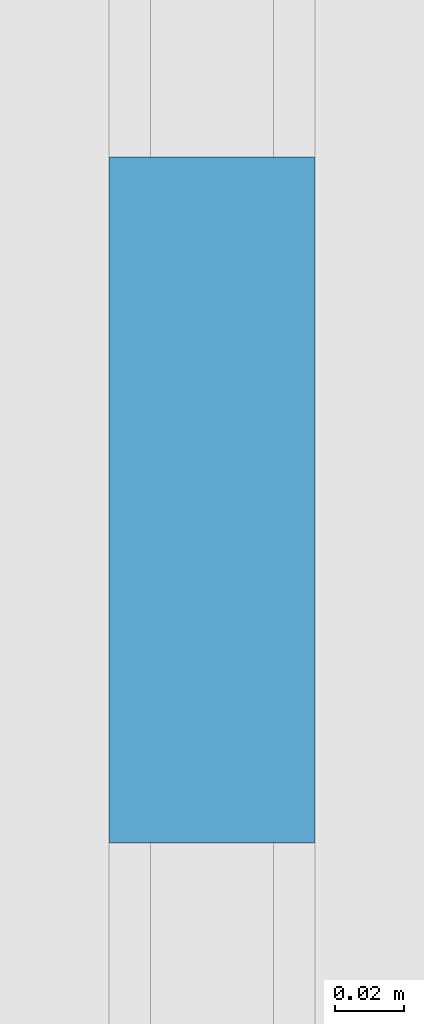
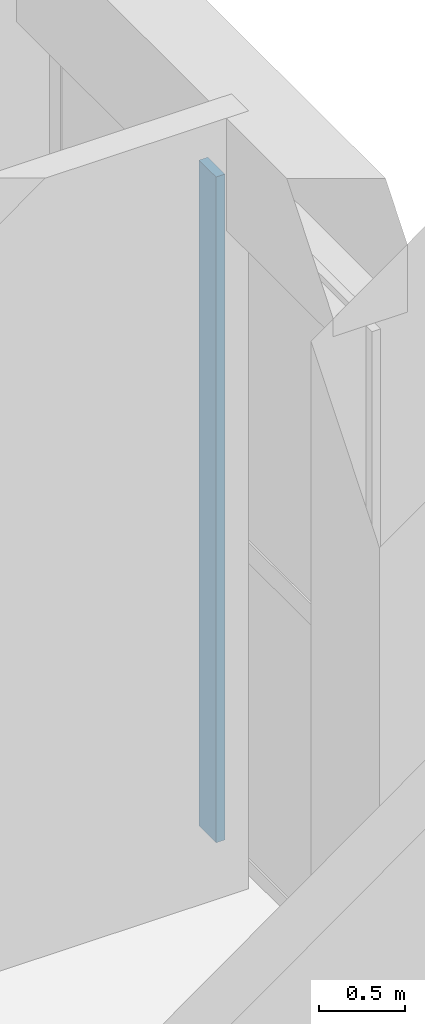
# One storey, part 5 of 25: 1 member, 1 element without a shape of its own.
"""IFC4 building model written with IfcOpenShell, lengths in metres."""

import ifcopenshell
import ifcopenshell.guid

model = None  # the IFC model being written
_history = None  # IfcOwnerHistory: only IFC2X3 demands one
_inside = {}  # id of a spatial element -> (the spatial element, [elements in it])
_under = {}  # id of a project, library or spatial element -> (it, [spatial elements below it])
_declared = {}  # id of a project -> (the project, [libraries it declares])
_typed = {}  # id of a type object -> (the type object, [elements of that type])
_made_of = {}  # id of a material, layer set ... -> (it, [elements and type objects made of it])


def new_model(schema):
    """Start an empty IFC model of exactly this schema.

    Asked for "IFC4X3", IfcOpenShell would pick the latest addendum, in which some entities
    have other attributes; the version numbers below select the first issue.
    IFC2X3 requires an IfcOwnerHistory on every rooted entity: one is made here for all.
    """
    global model, _history
    if schema == "IFC4X3":
        model = ifcopenshell.file(schema_version=(4, 3, 0, 0))
    else:
        model = ifcopenshell.file(schema=schema)
    _inside.clear()
    _under.clear()
    _declared.clear()
    _typed.clear()
    _made_of.clear()
    _history = None
    if model.schema == "IFC2X3":
        org = make("IfcOrganization", Name="unknown")
        user = make(
            "IfcPersonAndOrganization",
            ThePerson=make("IfcPerson", FamilyName="unknown"),
            TheOrganization=org,
        )
        app = make(
            "IfcApplication",
            ApplicationDeveloper=org,
            Version="unknown",
            ApplicationFullName="unknown",
            ApplicationIdentifier="unknown",
        )
        _history = make(
            "IfcOwnerHistory",
            OwningUser=user,
            OwningApplication=app,
            ChangeAction="ADDED",
            CreationDate=0,
        )
    return model


def make(cls, **values):
    """One entity of the class cls with the attributes given. An attribute that is None is left unset."""
    return model.create_entity(
        cls, **{name: value for name, value in values.items() if value is not None}
    )


def rooted(cls, **values):
    """An entity with a GlobalId (a new one), such as an element, a storey or a relation."""
    return make(cls, GlobalId=ifcopenshell.guid.new(), OwnerHistory=_history, **values)


def si_unit(unit_type, name, prefix=None):
    """IfcSIUnit, for example si_unit("LENGTHUNIT", "METRE", prefix="MILLI")."""
    return make("IfcSIUnit", UnitType=unit_type, Prefix=prefix, Name=name)


def assignment(units):
    """IfcUnitAssignment: the units of a project."""
    return None if units is None else make("IfcUnitAssignment", Units=units)


def point(xyz):
    """IfcCartesianPoint."""
    return None if xyz is None else make("IfcCartesianPoint", Coordinates=xyz)


def direction(xyz):
    """IfcDirection."""
    return None if xyz is None else make("IfcDirection", DirectionRatios=xyz)


def frame(location, z_axis=None, x_axis=None):
    """IfcAxis2Placement3D, a coordinate frame: its origin and axes. An axis left out is left unset."""
    return make(
        "IfcAxis2Placement3D",
        Location=point(location),
        Axis=direction(z_axis),
        RefDirection=direction(x_axis),
    )


def frame_2d(location, x_axis=None):
    """IfcAxis2Placement2D, a coordinate frame in the plane: its origin and x axis."""
    return make(
        "IfcAxis2Placement2D", Location=point(location), RefDirection=direction(x_axis)
    )


def origin():
    """The frame at (0, 0, 0) with its axes left unset."""
    return frame((0.0, 0.0, 0.0))


def origin_2d():
    """The frame at (0, 0) in the plane with its x axis left unset."""
    return frame_2d((0.0, 0.0))


def place(relative_to, where):
    """IfcLocalPlacement: puts the frame where relative to a parent placement (None: the world)."""
    return make(
        "IfcLocalPlacement", PlacementRelTo=relative_to, RelativePlacement=where
    )


def context(
    kind, dimensions, precision=None, world=None, true_north=None, identifier=None
):
    """IfcGeometricRepresentationContext, for example the 3D "Model" context."""
    return make(
        "IfcGeometricRepresentationContext",
        ContextIdentifier=identifier,
        ContextType=kind,
        CoordinateSpaceDimension=dimensions,
        Precision=precision,
        WorldCoordinateSystem=world,
        TrueNorth=true_north,
    )


def subcontext(parent, identifier, kind, view, scale=None):
    """IfcGeometricRepresentationSubContext, for example "Body" below "Model"."""
    return make(
        "IfcGeometricRepresentationSubContext",
        ContextIdentifier=identifier,
        ContextType=kind,
        ParentContext=parent,
        TargetScale=scale,
        TargetView=view,
    )


def project(units=None, contexts=None):
    """IfcProject with its units and contexts."""
    return rooted(
        "IfcProject",
        Name="project",
        RepresentationContexts=contexts,
        UnitsInContext=assignment(units),
    )


def spatial(cls, under=None, at=None, **own):
    """A site, building, storey or space (cls), placed at a placement, below another one or the project."""
    s = rooted(cls, ObjectPlacement=at, **own)
    if under is not None:
        _under.setdefault(under.id(), (under, []))[1].append(s)
    return s


def profile(cls, at=None, kind="AREA", **sizes):
    """A parametric profile (cls). Its sizes go by their IFC names, for example OverallWidth=200.0."""
    return make(cls, ProfileType=kind, Position=at, **sizes)


def rectangle(**sizes):
    """IfcRectangleProfileDef."""
    return profile("IfcRectangleProfileDef", **sizes)


def extrude(swept, where, along, depth):
    """IfcExtrudedAreaSolid: the profile swept, set in the frame where, extruded along a direction by depth."""
    return make(
        "IfcExtrudedAreaSolid",
        SweptArea=swept,
        Position=where,
        ExtrudedDirection=direction(along),
        Depth=depth,
    )


def shape(context_of_items, identifier, shape_type, items):
    """IfcShapeRepresentation: the items that make up one representation, for example the "Body"."""
    return make(
        "IfcShapeRepresentation",
        ContextOfItems=context_of_items,
        RepresentationIdentifier=identifier,
        RepresentationType=shape_type,
        Items=items,
    )


def material(Name=None, Category=None):
    """IfcMaterial."""
    return make("IfcMaterial", Name=Name, Category=Category)


def material_profile(
    of_material, cross_section, Name=None, Category=None, Priority=None
):
    """IfcMaterialProfile: a cross section and its material."""
    return make(
        "IfcMaterialProfile",
        Name=Name,
        Material=of_material,
        Profile=cross_section,
        Priority=Priority,
        Category=Category,
    )


def profile_set(profiles, Name=None, composite=None):
    """IfcMaterialProfileSet."""
    return make(
        "IfcMaterialProfileSet",
        Name=Name,
        MaterialProfiles=profiles,
        CompositeProfile=composite,
    )


def made_of(thing, what):
    """Note that an element or type object is made of a material, layer set ...; save() writes the relation."""
    if what is not None:
        _made_of.setdefault(what.id(), (what, []))[1].append(thing)
    return thing


def type_object(cls, material=None, **own):
    """A type object (cls), such as IfcWallType, which elements share."""
    return made_of(rooted(cls, **own), material)


def element(
    cls,
    number,
    at=None,
    inside=None,
    cuts=None,
    type_object=None,
    material=None,
    context=None,
    identifier="Body",
    shape_type=None,
    held_by="IfcProductDefinitionShape",
    body=None,
    shapes=None,
    **own,
):
    """One element of the class cls, such as IfcWall. Its Tag is "e" and its number.

    at: its placement. inside: the storey or other place that contains it. cuts: it is an
    opening in that element (IfcRelVoidsElement). A single representation is given by context,
    identifier, shape_type and body (its items); several are given by shapes. held_by: the class
    of the entity that holds the representations. save() writes the other relations.
    """
    e = rooted(cls, Tag="e%d" % number, ObjectPlacement=at, **own)
    if body is not None:
        shapes = [shape(context, identifier, shape_type, body)]
    if shapes is not None:
        e.Representation = make(held_by, Representations=shapes)
    if inside is not None:
        _inside.setdefault(inside.id(), (inside, []))[1].append(e)
    if cuts is not None:
        rooted(
            "IfcRelVoidsElement", RelatingBuildingElement=cuts, RelatedOpeningElement=e
        )
    if type_object is not None:
        _typed.setdefault(type_object.id(), (type_object, []))[1].append(e)
    return made_of(e, material)


def aggregate(whole, parts):
    """IfcRelAggregates: a whole, such as a stair, and the parts it consists of."""
    return rooted("IfcRelAggregates", RelatingObject=whole, RelatedObjects=parts)


def save(model, path):
    """Write the relations noted so far, then the file.

    IfcRelAggregates (storeys below a building ...), IfcRelContainedInSpatialStructure (elements
    in a storey), IfcRelDefinesByType, IfcRelAssociatesMaterial and IfcRelDeclares: one each for
    every whole, place, type object, material and project.
    """
    for whole, parts in _under.values():
        aggregate(whole, parts)
    for where, things in _inside.values():
        rooted(
            "IfcRelContainedInSpatialStructure",
            RelatedElements=things,
            RelatingStructure=where,
        )
    for kind, things in _typed.values():
        rooted("IfcRelDefinesByType", RelatedObjects=things, RelatingType=kind)
    for what, things in _made_of.values():
        rooted("IfcRelAssociatesMaterial", RelatedObjects=things, RelatingMaterial=what)
    for by, libraries in _declared.values():
        rooted("IfcRelDeclares", RelatingContext=by, RelatedDefinitions=libraries)
    model.write(path)


model = new_model("IFC4")

# Units and contexts
model_context = context("Model", 3, precision=1e-05, world=origin(), true_north=direction((0.0, 1.0)))
body_context = subcontext(model_context, "Body", "Model", "MODEL_VIEW")
ifc_project = project(units=[si_unit("LENGTHUNIT", "METRE"), si_unit("AREAUNIT", "SQUARE_METRE"), si_unit("VOLUMEUNIT", "CUBIC_METRE"), si_unit("PLANEANGLEUNIT", "RADIAN"), si_unit("MASSUNIT", "GRAM", prefix="KILO")], contexts=[model_context])

# Site, building, storey
site_placement = place(None, origin())
site = spatial("IfcSite", under=ifc_project, at=site_placement, CompositionType="ELEMENT")
building_placement = place(site_placement, origin())
building = spatial("IfcBuilding", under=site, at=building_placement, Name="Corbel Stack Research Tower", CompositionType="ELEMENT")
storey_placement = place(building_placement, frame((0.0, 0.0, 260.300048828125)))
storey = spatial("IfcBuildingStorey", under=building, at=storey_placement, Name="L59", CompositionType="ELEMENT", Elevation=260.300048828125)

# Curtain wall, member
ifc_material_1 = material(Name="Aluminium frame, clear glass", Category="aluminium")
curtain_wall_type = type_object("IfcCurtainWallType", Name="Upper amenity floor curtain wall CW3", PredefinedType="NOTDEFINED", material=ifc_material_1)
curtain_wall_placement = place(storey_placement, origin())
curtain_wall = element("IfcCurtainWall", 1, at=curtain_wall_placement, inside=storey, type_object=curtain_wall_type, Name="Curtain wall CW3 L59 E06", PredefinedType="NOTDEFINED")
ifc_material_2 = material(Name="Aluminium mullion", Category="aluminium")
ifc_material_profile = material_profile(ifc_material_2, rectangle(XDim=0.06005859375, YDim=0.199951171875, at=origin_2d()), Name="Mullion 60 x 200")
ifc_profile_set = profile_set([ifc_material_profile], Name="Aluminium mullion")
member_type = type_object("IfcMemberType", Name="Curtain wall mullion 60 x 200", PredefinedType="MULLION", material=ifc_profile_set)
member_placement = place(storey_placement, frame((27.0, 6.75, 0.0), z_axis=(0.0, 0.0, 1.0), x_axis=(-1.0, 0.0, 0.0)))
member = element("IfcMember", 2, at=member_placement, type_object=member_type, Name="CW3 mullion 2", PredefinedType="MULLION", context=body_context, shape_type="SweptSolid", body=[
    extrude(rectangle(XDim=0.06005859375, YDim=0.199951171875, at=origin_2d()), origin(), (0.0, 0.0, 1.0), 4.75),
])
aggregate(curtain_wall, [member])

save(model, "model.ifc")
